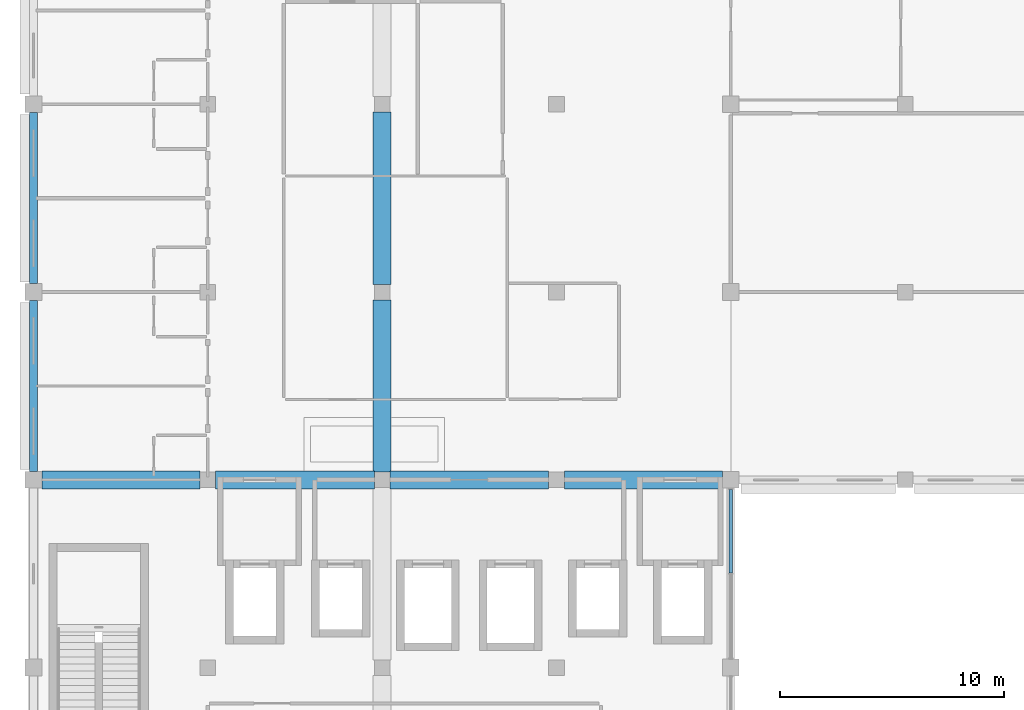
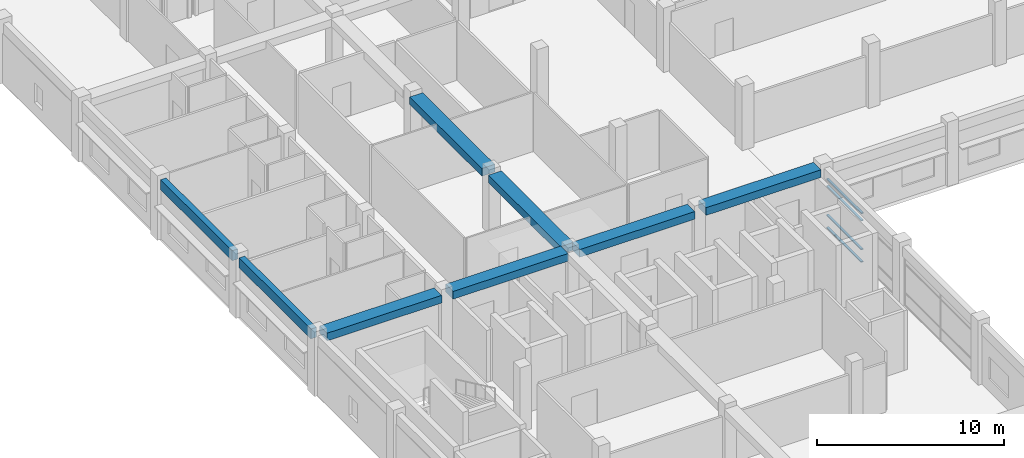
# One storey, part 4 of 53: 8 beams, 4 members, 1 element without a shape of its own.
"""IFC4 building model written with IfcOpenShell, lengths in metres."""

from ifc_helpers import new_model, si_unit, direction, frame, origin, origin_2d, place, context, subcontext, project, spatial, rectangle, hollow_rectangle, extrude, material, material_profile, profile_set, type_object, element, aggregate, save


model = new_model("IFC4")

# Units and contexts
model_context = context("Model", 3, precision=1e-05, world=origin(), true_north=direction((0.0, 1.0)))
body_context = subcontext(model_context, "Body", "Model", "MODEL_VIEW")
ifc_project = project(units=[si_unit("LENGTHUNIT", "METRE"), si_unit("AREAUNIT", "SQUARE_METRE"), si_unit("VOLUMEUNIT", "CUBIC_METRE"), si_unit("PLANEANGLEUNIT", "RADIAN"), si_unit("MASSUNIT", "GRAM", prefix="KILO"), si_unit("THERMODYNAMICTEMPERATUREUNIT", "KELVIN"), si_unit("POWERUNIT", "WATT")], contexts=[model_context])

# Site, building, storey
site_placement = place(None, origin())
site = spatial("IfcSite", under=ifc_project, at=site_placement, CompositionType="ELEMENT")
building_placement = place(site_placement, origin())
building = spatial("IfcBuilding", under=site, at=building_placement, Name="Srebrne Nadtorze General Hospital", CompositionType="ELEMENT")
storey_placement = place(building_placement, frame((0.0, 0.0, 18.0)))
storey = spatial("IfcBuildingStorey", under=building, at=storey_placement, Name="L04", CompositionType="ELEMENT", Elevation=18.0)

# Curtain wall, members
ifc_material_1 = material(Name="Anodised Aluminium", Category="aluminium")
curtain_wall_type = type_object("IfcCurtainWallType", Name="Unitised curtain wall 7650x3235", PredefinedType="NOTDEFINED", material=ifc_material_1)
curtain_wall_placement = place(storey_placement, origin())
curtain_wall = element("IfcCurtainWall", 1, at=curtain_wall_placement, inside=storey, type_object=curtain_wall_type, Name="Curtain wall CW-107", PredefinedType="NOTDEFINED")
ifc_material_2 = material(Name="Anodised Aluminium", Category="aluminium")
ifc_material_profile_1 = material_profile(ifc_material_2, hollow_rectangle(XDim=0.06494140625, YDim=0.139892578125, WallThickness=0.00390625, at=origin_2d()), Name="AL-TRN-65x140")
ifc_profile_set_1 = profile_set([ifc_material_profile_1], Name="Anodised Aluminium")
member_type = type_object("IfcMemberType", Name="Curtain transom 65x140", PredefinedType="USERDEFINED", material=ifc_profile_set_1)
member_1_placement = place(storey_placement, frame((54.60009765625, 46.232421875, 0.032470703125), z_axis=(0.0, 1.0, 0.0), x_axis=(0.0, 0.0, 1.0)))
member_1 = element("IfcMember", 2, at=member_1_placement, type_object=member_type, Name="CW-107 transom 2.1", ObjectType="TRANSOM", PredefinedType="USERDEFINED", context=body_context, shape_type="SweptSolid", body=[
    extrude(hollow_rectangle(XDim=0.06494140625, YDim=0.139892578125, WallThickness=0.00390625, at=origin_2d()), origin(), (0.0, 0.0, 1.0), 3.7275390625),
])
member_2_placement = place(storey_placement, frame((54.60009765625, 46.232421875, 0.85009765625), z_axis=(0.0, 1.0, 0.0), x_axis=(0.0, 0.0, 1.0)))
member_2 = element("IfcMember", 3, at=member_2_placement, type_object=member_type, Name="CW-107 transom 2.2", ObjectType="TRANSOM", PredefinedType="USERDEFINED", context=body_context, shape_type="SweptSolid", body=[
    extrude(hollow_rectangle(XDim=0.06494140625, YDim=0.139892578125, WallThickness=0.00390625, at=origin_2d()), origin(), (0.0, 0.0, 1.0), 3.7275390625),
])
member_3_placement = place(storey_placement, frame((54.60009765625, 46.232421875, 2.735107421875), z_axis=(0.0, 1.0, 0.0), x_axis=(0.0, 0.0, 1.0)))
member_3 = element("IfcMember", 4, at=member_3_placement, type_object=member_type, Name="CW-107 transom 2.3", ObjectType="TRANSOM", PredefinedType="USERDEFINED", context=body_context, shape_type="SweptSolid", body=[
    extrude(hollow_rectangle(XDim=0.06494140625, YDim=0.139892578125, WallThickness=0.00390625, at=origin_2d()), origin(), (0.0, 0.0, 1.0), 3.7275390625),
])
member_4_placement = place(storey_placement, frame((54.60009765625, 46.232421875, 3.202392578125), z_axis=(0.0, 1.0, 0.0), x_axis=(0.0, 0.0, 1.0)))
member_4 = element("IfcMember", 5, at=member_4_placement, type_object=member_type, Name="CW-107 transom 2.4", ObjectType="TRANSOM", PredefinedType="USERDEFINED", context=body_context, shape_type="SweptSolid", body=[
    extrude(hollow_rectangle(XDim=0.06494140625, YDim=0.139892578125, WallThickness=0.00390625, at=origin_2d()), origin(), (0.0, 0.0, 1.0), 3.7275390625),
])
aggregate(curtain_wall, [member_1, member_2, member_3, member_4])

# Beams
ifc_material_3 = material(Name="Concrete C35/45", Category="concrete")
ifc_material_profile_2 = material_profile(ifc_material_3, rectangle(XDim=0.35009765625, YDim=0.64990234375, at=origin_2d()), Name="RC-BM-350x650")
ifc_profile_set_2 = profile_set([ifc_material_profile_2], Name="Concrete C35/45")
beam_type_1 = type_object("IfcBeamType", Name="Edge beam RC 350x650", PredefinedType="BEAM", material=ifc_profile_set_2)
beam_1_placement = place(storey_placement, frame((23.39990234375, 50.77490234375, 3.56005859375), z_axis=(0.0, 1.0, 0.0), x_axis=(-1.0, 0.0, 0.0)))
element("IfcBeam", 6, at=beam_1_placement, inside=storey, type_object=beam_type_1, Name="Beam BM-L04-Y-0932", PredefinedType="BEAM", context=body_context, shape_type="SweptSolid", body=[
    extrude(rectangle(XDim=0.35009765625, YDim=0.64990234375, at=origin_2d()), origin(), (0.0, 0.0, 1.0), 7.650146484375),
])
beam_2_placement = place(storey_placement, frame((23.39990234375, 59.175048828125, 3.56005859375), z_axis=(0.0, 1.0, 0.0), x_axis=(-1.0, 0.0, 0.0)))
element("IfcBeam", 7, at=beam_2_placement, inside=storey, type_object=beam_type_1, Name="Beam BM-L04-Y-0933", PredefinedType="BEAM", context=body_context, shape_type="SweptSolid", body=[
    extrude(rectangle(XDim=0.35009765625, YDim=0.64990234375, at=origin_2d()), origin(), (0.0, 0.0, 1.0), 7.64990234375),
])
ifc_material_4 = material(Name="Concrete C40/50", Category="concrete")
ifc_material_profile_3 = material_profile(ifc_material_4, rectangle(XDim=0.800048828125, YDim=0.5, at=origin_2d()), Name="RC-BM-800x500")
ifc_profile_set_3 = profile_set([ifc_material_profile_3], Name="Concrete C40/50")
beam_type_2 = type_object("IfcBeamType", Name="Primary beam RC 800x500", PredefinedType="BEAM", material=ifc_profile_set_3)
beam_3_placement = place(storey_placement, frame((23.77490234375, 50.39990234375, 3.635009765625), z_axis=(1.0, 0.0, 0.0), x_axis=(0.0, 1.0, 0.0)))
element("IfcBeam", 8, at=beam_3_placement, inside=storey, type_object=beam_type_2, Name="Beam BM-L04-X-0881", PredefinedType="BEAM", context=body_context, shape_type="SweptSolid", body=[
    extrude(rectangle(XDim=0.800048828125, YDim=0.5, at=origin_2d()), origin(), (0.0, 0.0, 1.0), 7.0751953125),
])
for number, where, z_axis, x_axis, name in (
    (9, (31.550048828125, 50.39990234375, 3.635009765625), (1.0, 0.0, 0.0), (0.0, 1.0, 0.0), "Beam BM-L04-X-0882"),
    (10, (39.35009765625, 50.39990234375, 3.635009765625), (1.0, 0.0, 0.0), (0.0, 1.0, 0.0), "Beam BM-L04-X-0883"),
):
    element("IfcBeam", number, at=place(storey_placement, frame(where, z_axis=z_axis, x_axis=x_axis)), inside=storey, type_object=beam_type_2, Name=name, PredefinedType="BEAM", context=body_context, shape_type="SweptSolid", body=[
        extrude(rectangle(XDim=0.800048828125, YDim=0.5, at=origin_2d()), origin(), (0.0, 0.0, 1.0), 7.099853515625),
    ])
beam_4_placement = place(storey_placement, frame((47.14990234375, 50.39990234375, 3.635009765625), z_axis=(1.0, 0.0, 0.0), x_axis=(0.0, 1.0, 0.0)))
element("IfcBeam", 11, at=beam_4_placement, inside=storey, type_object=beam_type_2, Name="Beam BM-L04-X-0884", PredefinedType="BEAM", context=body_context, shape_type="SweptSolid", body=[
    extrude(rectangle(XDim=0.800048828125, YDim=0.5, at=origin_2d()), origin(), (0.0, 0.0, 1.0), 7.0751953125),
])
beam_5_placement = place(storey_placement, frame((39.0, 50.75, 3.635009765625), z_axis=(0.0, 1.0, 0.0), x_axis=(-1.0, 0.0, 0.0)))
element("IfcBeam", 12, at=beam_5_placement, inside=storey, type_object=beam_type_2, Name="Beam BM-L04-Y-0942", PredefinedType="BEAM", context=body_context, shape_type="SweptSolid", body=[
    extrude(rectangle(XDim=0.800048828125, YDim=0.5, at=origin_2d()), origin(), (0.0, 0.0, 1.0), 7.699951171875),
])
beam_6_placement = place(storey_placement, frame((39.0, 59.14990234375, 3.635009765625), z_axis=(0.0, 1.0, 0.0), x_axis=(-1.0, 0.0, 0.0)))
element("IfcBeam", 13, at=beam_6_placement, inside=storey, type_object=beam_type_2, Name="Beam BM-L04-Y-0943", PredefinedType="BEAM", context=body_context, shape_type="SweptSolid", body=[
    extrude(rectangle(XDim=0.800048828125, YDim=0.5, at=origin_2d()), origin(), (0.0, 0.0, 1.0), 7.7001953125),
])

save(model, "model.ifc")
